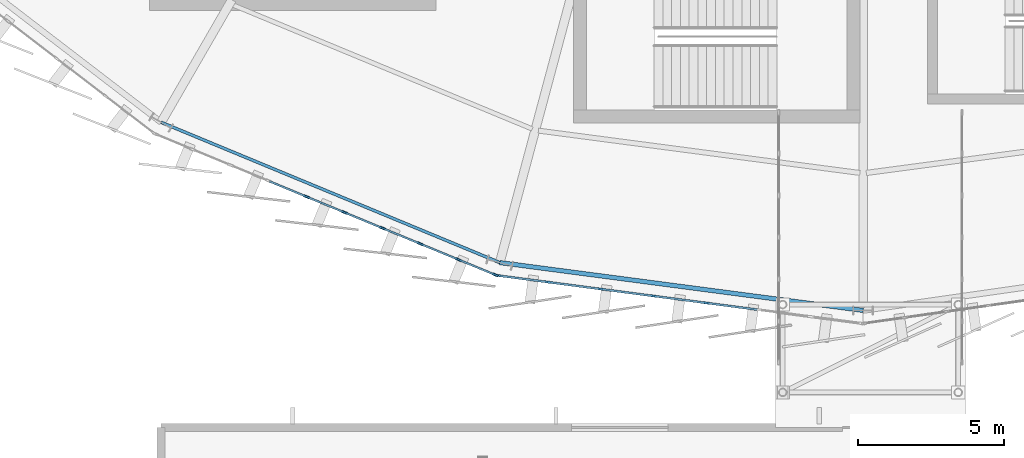
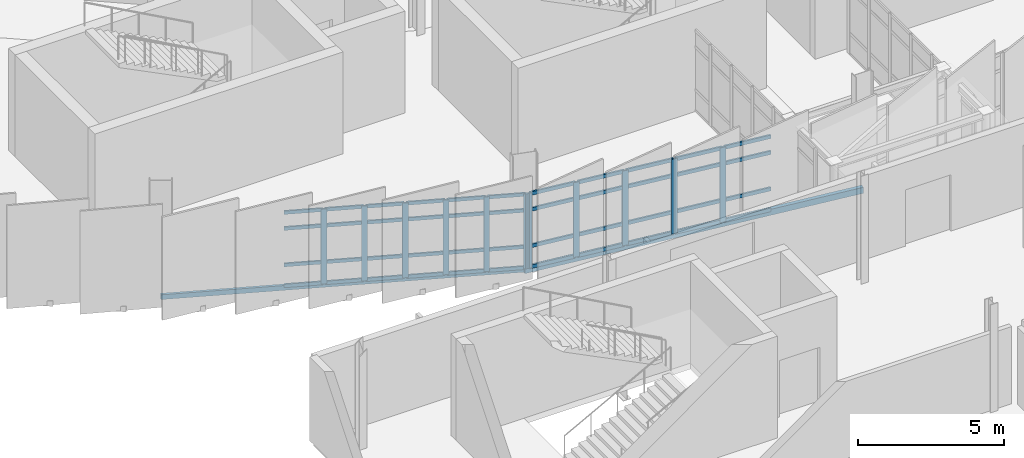
# One storey, part 34 of 125: 55 members, 2 beams, 2 elements without a shape of their own.
"""IFC4 building model written with IfcOpenShell, lengths in metres."""

from ifc_helpers import new_model, si_unit, direction, frame, origin, origin_2d, place, context, subcontext, project, spatial, rectangle, hollow_rectangle, extrude, material, layer, layer_set, material_profile, profile_set, type_object, element, aggregate, save


model = new_model("IFC4")

# Units and contexts
model_context = context("Model", 3, precision=1e-05, world=origin(), true_north=direction((0.0, 1.0)))
body_context = subcontext(model_context, "Body", "Model", "MODEL_VIEW")
ifc_project = project(units=[si_unit("LENGTHUNIT", "METRE"), si_unit("AREAUNIT", "SQUARE_METRE"), si_unit("VOLUMEUNIT", "CUBIC_METRE"), si_unit("PLANEANGLEUNIT", "RADIAN"), si_unit("MASSUNIT", "GRAM", prefix="KILO")], contexts=[model_context])

# Site, building, storey
site_placement = place(None, origin())
site = spatial("IfcSite", under=ifc_project, at=site_placement, CompositionType="ELEMENT")
building_placement = place(site_placement, origin())
building = spatial("IfcBuilding", under=site, at=building_placement, Name="Sohan Crest Arena", CompositionType="ELEMENT")
storey_placement = place(building_placement, frame((0.0, 0.0, 9.0)))
storey = spatial("IfcBuildingStorey", under=building, at=storey_placement, Name="L02", CompositionType="ELEMENT", Elevation=9.0)

# Curtain wall, members
ifc_material_1 = material(Name="Thermally broken anodised aluminium", Category="aluminium")
ifc_layer_1 = layer(ifc_material_1, 0.18994140625, Name="Thermally broken anodised aluminium")
ifc_layer_set_1 = layer_set([ifc_layer_1], Name="Thermally broken anodised aluminium")
curtain_wall_type_1 = type_object("IfcCurtainWallType", Name="ARC-CW05", PredefinedType="NOTDEFINED", material=ifc_layer_set_1)
curtain_wall_1_placement = place(storey_placement, origin())
curtain_wall_1 = element("IfcCurtainWall", 1, at=curtain_wall_1_placement, inside=storey, type_object=curtain_wall_type_1, Name="Unitised curtain wall CW-058", PredefinedType="NOTDEFINED")
ifc_material_profile_1 = material_profile(ifc_material_1, rectangle(XDim=0.070068359375, YDim=0.199951171875, at=origin_2d()), Name="ALU-MULL 70x200")
ifc_profile_set_1 = profile_set([ifc_material_profile_1], Name="Thermally broken anodised aluminium")
member_type_1 = type_object("IfcMemberType", Name="ARC-CW-ML03", PredefinedType="MULLION", material=ifc_profile_set_1)
member_1_placement = place(storey_placement, frame((78.96826171875, 33.889892578125, 0.0), z_axis=(0.0, 0.0, 1.0), x_axis=(0.382677663845, 0.92388192189, 0.0)))
member_1 = element("IfcMember", 2, at=member_1_placement, type_object=member_type_1, Name="CW-058 mullion 5", PredefinedType="MULLION", context=body_context, shape_type="SweptSolid", body=[
    extrude(rectangle(XDim=0.070068359375, YDim=0.199951171875, at=origin_2d()), origin(), (0.0, 0.0, 1.0), 3.1201171875),
])
member_2_placement = place(storey_placement, frame((80.2666015625, 33.35205078125, 0.0), z_axis=(0.0, 0.0, 1.0), x_axis=(0.382677663845, 0.92388192189, 0.0)))
member_2 = element("IfcMember", 3, at=member_2_placement, type_object=member_type_1, Name="CW-058 mullion 6", PredefinedType="MULLION", context=body_context, shape_type="SweptSolid", body=[
    extrude(rectangle(XDim=0.070068359375, YDim=0.199951171875, at=origin_2d()), origin(), (0.0, 0.0, 1.0), 3.1201171875),
])
member_3_placement = place(storey_placement, frame((81.56494140625, 32.814453125, 0.0), z_axis=(0.0, 0.0, 1.0), x_axis=(0.382677663845, 0.92388192189, 0.0)))
member_3 = element("IfcMember", 4, at=member_3_placement, type_object=member_type_1, Name="CW-058 mullion 7", PredefinedType="MULLION", context=body_context, shape_type="SweptSolid", body=[
    extrude(rectangle(XDim=0.070068359375, YDim=0.199951171875, at=origin_2d()), origin(), (0.0, 0.0, 1.0), 3.1201171875),
])
member_4_placement = place(storey_placement, frame((82.86328125, 32.276611328125, 0.0), z_axis=(0.0, 0.0, 1.0), x_axis=(0.382677663845, 0.92388192189, 0.0)))
member_4 = element("IfcMember", 5, at=member_4_placement, type_object=member_type_1, Name="CW-058 mullion 8", PredefinedType="MULLION", context=body_context, shape_type="SweptSolid", body=[
    extrude(rectangle(XDim=0.070068359375, YDim=0.199951171875, at=origin_2d()), origin(), (0.0, 0.0, 1.0), 3.1201171875),
])
member_5_placement = place(storey_placement, frame((84.16162109375, 31.73876953125, 0.0), z_axis=(0.0, 0.0, 1.0), x_axis=(0.382677663845, 0.92388192189, 0.0)))
member_5 = element("IfcMember", 6, at=member_5_placement, type_object=member_type_1, Name="CW-058 mullion 9", PredefinedType="MULLION", context=body_context, shape_type="SweptSolid", body=[
    extrude(rectangle(XDim=0.070068359375, YDim=0.199951171875, at=origin_2d()), origin(), (0.0, 0.0, 1.0), 3.1201171875),
])
member_6_placement = place(storey_placement, frame((85.427734375, 31.21435546875, 0.0), z_axis=(0.0, 0.0, 1.0), x_axis=(0.382677663845, 0.92388192189, 0.0)))
member_6 = element("IfcMember", 7, at=member_6_placement, type_object=member_type_1, Name="CW-058 mullion 10", PredefinedType="MULLION", context=body_context, shape_type="SweptSolid", body=[
    extrude(rectangle(XDim=0.070068359375, YDim=0.199951171875, at=origin_2d()), origin(), (0.0, 0.0, 1.0), 3.1201171875),
])

ifc_layer_2 = layer(ifc_material_1, 0.2099609375, Name="Thermally broken anodised aluminium")
ifc_layer_set_2 = layer_set([ifc_layer_2], Name="Thermally broken anodised aluminium")
curtain_wall_type_2 = type_object("IfcCurtainWallType", Name="ARC-CW06", PredefinedType="NOTDEFINED", material=ifc_layer_set_2)
curtain_wall_2_placement = place(storey_placement, origin())
curtain_wall_2 = element("IfcCurtainWall", 8, at=curtain_wall_2_placement, inside=storey, type_object=curtain_wall_type_2, Name="Unitised curtain wall CW-059", PredefinedType="NOTDEFINED")
ifc_material_profile_2 = material_profile(ifc_material_1, rectangle(XDim=0.074951171875, YDim=0.219970703125, at=origin_2d()), Name="ALU-MULL 75x220")
ifc_profile_set_2 = profile_set([ifc_material_profile_2], Name="Thermally broken anodised aluminium")
member_type_2 = type_object("IfcMemberType", Name="ARC-CW-ML04", PredefinedType="MULLION", material=ifc_profile_set_2)
member_7_placement = place(storey_placement, frame((85.4970703125, 31.196044921875, 0.0), z_axis=(0.0, 0.0, 1.0), x_axis=(0.130532229177, 0.991444066575, 0.0)))
member_7 = element("IfcMember", 9, at=member_7_placement, type_object=member_type_2, Name="CW-059 mullion 1", PredefinedType="MULLION", context=body_context, shape_type="SweptSolid", body=[
    extrude(rectangle(XDim=0.074951171875, YDim=0.219970703125, at=origin_2d()), origin(), (0.0, 0.0, 1.0), 3.1201171875),
])
member_8_placement = place(storey_placement, frame((87.25146484375, 30.965087890625, 0.0), z_axis=(0.0, 0.0, 1.0), x_axis=(0.130532229177, 0.991444066575, 0.0)))
member_8 = element("IfcMember", 10, at=member_8_placement, type_object=member_type_2, Name="CW-059 mullion 2", PredefinedType="MULLION", context=body_context, shape_type="SweptSolid", body=[
    extrude(rectangle(XDim=0.074951171875, YDim=0.219970703125, at=origin_2d()), origin(), (0.0, 0.0, 1.0), 3.1201171875),
])
member_9_placement = place(storey_placement, frame((89.04296875, 30.729248046875, 0.0), z_axis=(0.0, 0.0, 1.0), x_axis=(0.130532229177, 0.991444066575, 0.0)))
member_9 = element("IfcMember", 11, at=member_9_placement, type_object=member_type_2, Name="CW-059 mullion 3", PredefinedType="MULLION", context=body_context, shape_type="SweptSolid", body=[
    extrude(rectangle(XDim=0.074951171875, YDim=0.219970703125, at=origin_2d()), origin(), (0.0, 0.0, 1.0), 3.1201171875),
])
member_10_placement = place(storey_placement, frame((90.834228515625, 30.493408203125, 0.0), z_axis=(0.0, 0.0, 1.0), x_axis=(0.130532229177, 0.991444066575, 0.0)))
member_10 = element("IfcMember", 12, at=member_10_placement, type_object=member_type_2, Name="CW-059 mullion 4", PredefinedType="MULLION", context=body_context, shape_type="SweptSolid", body=[
    extrude(rectangle(XDim=0.074951171875, YDim=0.219970703125, at=origin_2d()), origin(), (0.0, 0.0, 1.0), 3.1201171875),
])
member_11_placement = place(storey_placement, frame((92.625732421875, 30.257568359375, 0.0), z_axis=(0.0, 0.0, 1.0), x_axis=(0.130532229177, 0.991444066575, 0.0)))
member_11 = element("IfcMember", 13, at=member_11_placement, type_object=member_type_2, Name="CW-059 mullion 5", PredefinedType="MULLION", context=body_context, shape_type="SweptSolid", body=[
    extrude(rectangle(XDim=0.074951171875, YDim=0.219970703125, at=origin_2d()), origin(), (0.0, 0.0, 1.0), 3.1201171875),
])

# Member
ifc_material_profile_3 = material_profile(ifc_material_1, rectangle(XDim=0.06494140625, YDim=0.139892578125, at=origin_2d()), Name="ALU-TRAN 65x140")
ifc_profile_set_3 = profile_set([ifc_material_profile_3], Name="Thermally broken anodised aluminium")
member_type_3 = type_object("IfcMemberType", Name="ARC-CW-TR02", PredefinedType="USERDEFINED", material=ifc_profile_set_3)
member_12_placement = place(storey_placement, frame((77.702392578125, 34.414306640625, 0.032470703125), z_axis=(0.923880898456, -0.382680134666, 0.0), x_axis=(0.382680134666, 0.923880898456, 0.0)))
member_12 = element("IfcMember", 14, at=member_12_placement, type_object=member_type_3, Name="CW-058 transom 4.1", ObjectType="TRANSOM", PredefinedType="USERDEFINED", context=body_context, shape_type="SweptSolid", body=[
    extrude(rectangle(XDim=0.06494140625, YDim=0.139892578125, at=origin_2d()), origin(), (0.0, 0.0, 1.0), 1.335205078125),
])

member_13_placement = place(storey_placement, frame((77.702392578125, 34.414306640625, 0.89990234375), z_axis=(0.923880898456, -0.382680134666, 0.0), x_axis=(0.382680134666, 0.923880898456, 0.0)))
member_13 = element("IfcMember", 15, at=member_13_placement, type_object=member_type_3, Name="CW-058 transom 4.2", ObjectType="TRANSOM", PredefinedType="USERDEFINED", context=body_context, shape_type="SweptSolid", body=[
    extrude(rectangle(XDim=0.06494140625, YDim=0.139892578125, at=origin_2d()), origin(), (0.0, 0.0, 1.0), 1.335205078125),
])

member_14_placement = place(storey_placement, frame((77.702392578125, 34.414306640625, 2.419921875), z_axis=(0.923880898456, -0.382680134666, 0.0), x_axis=(0.382680134666, 0.923880898456, 0.0)))
member_14 = element("IfcMember", 16, at=member_14_placement, type_object=member_type_3, Name="CW-058 transom 4.3", ObjectType="TRANSOM", PredefinedType="USERDEFINED", context=body_context, shape_type="SweptSolid", body=[
    extrude(rectangle(XDim=0.06494140625, YDim=0.139892578125, at=origin_2d()), origin(), (0.0, 0.0, 1.0), 1.335205078125),
])

member_15_placement = place(storey_placement, frame((77.702392578125, 34.414306640625, 3.08740234375), z_axis=(0.923880898456, -0.382680134666, 0.0), x_axis=(0.382680134666, 0.923880898456, 0.0)))
member_15 = element("IfcMember", 17, at=member_15_placement, type_object=member_type_3, Name="CW-058 transom 4.4", ObjectType="TRANSOM", PredefinedType="USERDEFINED", context=body_context, shape_type="SweptSolid", body=[
    extrude(rectangle(XDim=0.06494140625, YDim=0.139892578125, at=origin_2d()), origin(), (0.0, 0.0, 1.0), 1.335205078125),
])

member_16_placement = place(storey_placement, frame((79.000732421875, 33.87646484375, 0.032470703125), z_axis=(0.923880898456, -0.382680134666, 0.0), x_axis=(0.382680134666, 0.923880898456, 0.0)))
member_16 = element("IfcMember", 18, at=member_16_placement, type_object=member_type_3, Name="CW-058 transom 5.1", ObjectType="TRANSOM", PredefinedType="USERDEFINED", context=body_context, shape_type="SweptSolid", body=[
    extrude(rectangle(XDim=0.06494140625, YDim=0.139892578125, at=origin_2d()), origin(), (0.0, 0.0, 1.0), 1.335205078125),
])

member_17_placement = place(storey_placement, frame((79.000732421875, 33.87646484375, 0.89990234375), z_axis=(0.923880898456, -0.382680134666, 0.0), x_axis=(0.382680134666, 0.923880898456, 0.0)))
member_17 = element("IfcMember", 19, at=member_17_placement, type_object=member_type_3, Name="CW-058 transom 5.2", ObjectType="TRANSOM", PredefinedType="USERDEFINED", context=body_context, shape_type="SweptSolid", body=[
    extrude(rectangle(XDim=0.06494140625, YDim=0.139892578125, at=origin_2d()), origin(), (0.0, 0.0, 1.0), 1.335205078125),
])

member_18_placement = place(storey_placement, frame((79.000732421875, 33.87646484375, 2.419921875), z_axis=(0.923880898456, -0.382680134666, 0.0), x_axis=(0.382680134666, 0.923880898456, 0.0)))
member_18 = element("IfcMember", 20, at=member_18_placement, type_object=member_type_3, Name="CW-058 transom 5.3", ObjectType="TRANSOM", PredefinedType="USERDEFINED", context=body_context, shape_type="SweptSolid", body=[
    extrude(rectangle(XDim=0.06494140625, YDim=0.139892578125, at=origin_2d()), origin(), (0.0, 0.0, 1.0), 1.335205078125),
])

member_19_placement = place(storey_placement, frame((79.000732421875, 33.87646484375, 3.08740234375), z_axis=(0.923880898456, -0.382680134666, 0.0), x_axis=(0.382680134666, 0.923880898456, 0.0)))
member_19 = element("IfcMember", 21, at=member_19_placement, type_object=member_type_3, Name="CW-058 transom 5.4", ObjectType="TRANSOM", PredefinedType="USERDEFINED", context=body_context, shape_type="SweptSolid", body=[
    extrude(rectangle(XDim=0.06494140625, YDim=0.139892578125, at=origin_2d()), origin(), (0.0, 0.0, 1.0), 1.335205078125),
])

member_20_placement = place(storey_placement, frame((80.299072265625, 33.338623046875, 0.032470703125), z_axis=(0.923880898456, -0.382680134666, 0.0), x_axis=(0.382680134666, 0.923880898456, 0.0)))
member_20 = element("IfcMember", 22, at=member_20_placement, type_object=member_type_3, Name="CW-058 transom 6.1", ObjectType="TRANSOM", PredefinedType="USERDEFINED", context=body_context, shape_type="SweptSolid", body=[
    extrude(rectangle(XDim=0.06494140625, YDim=0.139892578125, at=origin_2d()), origin(), (0.0, 0.0, 1.0), 1.335205078125),
])

member_21_placement = place(storey_placement, frame((80.299072265625, 33.338623046875, 0.89990234375), z_axis=(0.923880898456, -0.382680134666, 0.0), x_axis=(0.382680134666, 0.923880898456, 0.0)))
member_21 = element("IfcMember", 23, at=member_21_placement, type_object=member_type_3, Name="CW-058 transom 6.2", ObjectType="TRANSOM", PredefinedType="USERDEFINED", context=body_context, shape_type="SweptSolid", body=[
    extrude(rectangle(XDim=0.06494140625, YDim=0.139892578125, at=origin_2d()), origin(), (0.0, 0.0, 1.0), 1.335205078125),
])

member_22_placement = place(storey_placement, frame((80.299072265625, 33.338623046875, 2.419921875), z_axis=(0.923880898456, -0.382680134666, 0.0), x_axis=(0.382680134666, 0.923880898456, 0.0)))
member_22 = element("IfcMember", 24, at=member_22_placement, type_object=member_type_3, Name="CW-058 transom 6.3", ObjectType="TRANSOM", PredefinedType="USERDEFINED", context=body_context, shape_type="SweptSolid", body=[
    extrude(rectangle(XDim=0.06494140625, YDim=0.139892578125, at=origin_2d()), origin(), (0.0, 0.0, 1.0), 1.335205078125),
])

member_23_placement = place(storey_placement, frame((80.299072265625, 33.338623046875, 3.08740234375), z_axis=(0.923880898456, -0.382680134666, 0.0), x_axis=(0.382680134666, 0.923880898456, 0.0)))
member_23 = element("IfcMember", 25, at=member_23_placement, type_object=member_type_3, Name="CW-058 transom 6.4", ObjectType="TRANSOM", PredefinedType="USERDEFINED", context=body_context, shape_type="SweptSolid", body=[
    extrude(rectangle(XDim=0.06494140625, YDim=0.139892578125, at=origin_2d()), origin(), (0.0, 0.0, 1.0), 1.335205078125),
])

member_24_placement = place(storey_placement, frame((81.597412109375, 32.801025390625, 0.032470703125), z_axis=(0.923880898456, -0.382680134666, 0.0), x_axis=(0.382680134666, 0.923880898456, 0.0)))
member_24 = element("IfcMember", 26, at=member_24_placement, type_object=member_type_3, Name="CW-058 transom 7.1", ObjectType="TRANSOM", PredefinedType="USERDEFINED", context=body_context, shape_type="SweptSolid", body=[
    extrude(rectangle(XDim=0.06494140625, YDim=0.139892578125, at=origin_2d()), origin(), (0.0, 0.0, 1.0), 1.335205078125),
])

member_25_placement = place(storey_placement, frame((81.597412109375, 32.801025390625, 0.89990234375), z_axis=(0.923880898456, -0.382680134666, 0.0), x_axis=(0.382680134666, 0.923880898456, 0.0)))
member_25 = element("IfcMember", 27, at=member_25_placement, type_object=member_type_3, Name="CW-058 transom 7.2", ObjectType="TRANSOM", PredefinedType="USERDEFINED", context=body_context, shape_type="SweptSolid", body=[
    extrude(rectangle(XDim=0.06494140625, YDim=0.139892578125, at=origin_2d()), origin(), (0.0, 0.0, 1.0), 1.335205078125),
])

member_26_placement = place(storey_placement, frame((81.597412109375, 32.801025390625, 2.419921875), z_axis=(0.923880898456, -0.382680134666, 0.0), x_axis=(0.382680134666, 0.923880898456, 0.0)))
member_26 = element("IfcMember", 28, at=member_26_placement, type_object=member_type_3, Name="CW-058 transom 7.3", ObjectType="TRANSOM", PredefinedType="USERDEFINED", context=body_context, shape_type="SweptSolid", body=[
    extrude(rectangle(XDim=0.06494140625, YDim=0.139892578125, at=origin_2d()), origin(), (0.0, 0.0, 1.0), 1.335205078125),
])

member_27_placement = place(storey_placement, frame((81.597412109375, 32.801025390625, 3.08740234375), z_axis=(0.923880898456, -0.382680134666, 0.0), x_axis=(0.382680134666, 0.923880898456, 0.0)))
member_27 = element("IfcMember", 29, at=member_27_placement, type_object=member_type_3, Name="CW-058 transom 7.4", ObjectType="TRANSOM", PredefinedType="USERDEFINED", context=body_context, shape_type="SweptSolid", body=[
    extrude(rectangle(XDim=0.06494140625, YDim=0.139892578125, at=origin_2d()), origin(), (0.0, 0.0, 1.0), 1.335205078125),
])

member_28_placement = place(storey_placement, frame((82.895751953125, 32.26318359375, 0.032470703125), z_axis=(0.923880898456, -0.382680134666, 0.0), x_axis=(0.382680134666, 0.923880898456, 0.0)))
member_28 = element("IfcMember", 30, at=member_28_placement, type_object=member_type_3, Name="CW-058 transom 8.1", ObjectType="TRANSOM", PredefinedType="USERDEFINED", context=body_context, shape_type="SweptSolid", body=[
    extrude(rectangle(XDim=0.06494140625, YDim=0.139892578125, at=origin_2d()), origin(), (0.0, 0.0, 1.0), 1.335205078125),
])

member_29_placement = place(storey_placement, frame((82.895751953125, 32.26318359375, 0.89990234375), z_axis=(0.923880898456, -0.382680134666, 0.0), x_axis=(0.382680134666, 0.923880898456, 0.0)))
member_29 = element("IfcMember", 31, at=member_29_placement, type_object=member_type_3, Name="CW-058 transom 8.2", ObjectType="TRANSOM", PredefinedType="USERDEFINED", context=body_context, shape_type="SweptSolid", body=[
    extrude(rectangle(XDim=0.06494140625, YDim=0.139892578125, at=origin_2d()), origin(), (0.0, 0.0, 1.0), 1.335205078125),
])

member_30_placement = place(storey_placement, frame((82.895751953125, 32.26318359375, 2.419921875), z_axis=(0.923880898456, -0.382680134666, 0.0), x_axis=(0.382680134666, 0.923880898456, 0.0)))
member_30 = element("IfcMember", 32, at=member_30_placement, type_object=member_type_3, Name="CW-058 transom 8.3", ObjectType="TRANSOM", PredefinedType="USERDEFINED", context=body_context, shape_type="SweptSolid", body=[
    extrude(rectangle(XDim=0.06494140625, YDim=0.139892578125, at=origin_2d()), origin(), (0.0, 0.0, 1.0), 1.335205078125),
])

member_31_placement = place(storey_placement, frame((82.895751953125, 32.26318359375, 3.08740234375), z_axis=(0.923880898456, -0.382680134666, 0.0), x_axis=(0.382680134666, 0.923880898456, 0.0)))
member_31 = element("IfcMember", 33, at=member_31_placement, type_object=member_type_3, Name="CW-058 transom 8.4", ObjectType="TRANSOM", PredefinedType="USERDEFINED", context=body_context, shape_type="SweptSolid", body=[
    extrude(rectangle(XDim=0.06494140625, YDim=0.139892578125, at=origin_2d()), origin(), (0.0, 0.0, 1.0), 1.335205078125),
])

member_32_placement = place(storey_placement, frame((84.194091796875, 31.725341796875, 0.032470703125), z_axis=(0.923874933397, -0.382694535419, 0.0), x_axis=(0.382694535419, 0.923874933397, 0.0)))
member_32 = element("IfcMember", 34, at=member_32_placement, type_object=member_type_3, Name="CW-058 transom 9.1", ObjectType="TRANSOM", PredefinedType="USERDEFINED", context=body_context, shape_type="SweptSolid", body=[
    extrude(rectangle(XDim=0.06494140625, YDim=0.139892578125, at=origin_2d()), origin(), (0.0, 0.0, 1.0), 1.300048828125),
])

member_33_placement = place(storey_placement, frame((84.194091796875, 31.725341796875, 0.89990234375), z_axis=(0.923874933397, -0.382694535419, 0.0), x_axis=(0.382694535419, 0.923874933397, 0.0)))
member_33 = element("IfcMember", 35, at=member_33_placement, type_object=member_type_3, Name="CW-058 transom 9.2", ObjectType="TRANSOM", PredefinedType="USERDEFINED", context=body_context, shape_type="SweptSolid", body=[
    extrude(rectangle(XDim=0.06494140625, YDim=0.139892578125, at=origin_2d()), origin(), (0.0, 0.0, 1.0), 1.300048828125),
])

member_34_placement = place(storey_placement, frame((84.194091796875, 31.725341796875, 2.419921875), z_axis=(0.923874933397, -0.382694535419, 0.0), x_axis=(0.382694535419, 0.923874933397, 0.0)))
member_34 = element("IfcMember", 36, at=member_34_placement, type_object=member_type_3, Name="CW-058 transom 9.3", ObjectType="TRANSOM", PredefinedType="USERDEFINED", context=body_context, shape_type="SweptSolid", body=[
    extrude(rectangle(XDim=0.06494140625, YDim=0.139892578125, at=origin_2d()), origin(), (0.0, 0.0, 1.0), 1.300048828125),
])

member_35_placement = place(storey_placement, frame((84.194091796875, 31.725341796875, 3.08740234375), z_axis=(0.923874933397, -0.382694535419, 0.0), x_axis=(0.382694535419, 0.923874933397, 0.0)))
member_35 = element("IfcMember", 37, at=member_35_placement, type_object=member_type_3, Name="CW-058 transom 9.4", ObjectType="TRANSOM", PredefinedType="USERDEFINED", context=body_context, shape_type="SweptSolid", body=[
    extrude(rectangle(XDim=0.06494140625, YDim=0.139892578125, at=origin_2d()), origin(), (0.0, 0.0, 1.0), 1.300048828125),
])

aggregate(curtain_wall_1, [member_1, member_2, member_3, member_4, member_5, member_6, member_12, member_13, member_14, member_15, member_16, member_17, member_18, member_19, member_20, member_21, member_22, member_23, member_24, member_25, member_26, member_27, member_28, member_29, member_30, member_31, member_32, member_33, member_34, member_35])

ifc_material_profile_4 = material_profile(ifc_material_1, rectangle(XDim=0.070068359375, YDim=0.14990234375, at=origin_2d()), Name="ALU-TRAN 70x150")
ifc_profile_set_4 = profile_set([ifc_material_profile_4], Name="Thermally broken anodised aluminium")
member_type_4 = type_object("IfcMemberType", Name="ARC-CW-TR03", PredefinedType="USERDEFINED", material=ifc_profile_set_4)
member_36_placement = place(storey_placement, frame((85.534423828125, 31.191162109375, 0.034912109375), z_axis=(0.991443012274, -0.130540236756, 0.0), x_axis=(0.130540236756, 0.991443012274, 0.0)))
member_36 = element("IfcMember", 38, at=member_36_placement, type_object=member_type_4, Name="CW-059 transom 1.1", ObjectType="TRANSOM", PredefinedType="USERDEFINED", context=body_context, shape_type="SweptSolid", body=[
    extrude(rectangle(XDim=0.070068359375, YDim=0.14990234375, at=origin_2d()), origin(), (0.0, 0.0, 1.0), 1.6943359375),
])

member_37_placement = place(storey_placement, frame((85.534423828125, 31.191162109375, 0.89990234375), z_axis=(0.991443012274, -0.130540236756, 0.0), x_axis=(0.130540236756, 0.991443012274, 0.0)))
member_37 = element("IfcMember", 39, at=member_37_placement, type_object=member_type_4, Name="CW-059 transom 1.2", ObjectType="TRANSOM", PredefinedType="USERDEFINED", context=body_context, shape_type="SweptSolid", body=[
    extrude(rectangle(XDim=0.070068359375, YDim=0.14990234375, at=origin_2d()), origin(), (0.0, 0.0, 1.0), 1.6943359375),
])

member_38_placement = place(storey_placement, frame((85.534423828125, 31.191162109375, 2.419921875), z_axis=(0.991443012274, -0.130540236756, 0.0), x_axis=(0.130540236756, 0.991443012274, 0.0)))
member_38 = element("IfcMember", 40, at=member_38_placement, type_object=member_type_4, Name="CW-059 transom 1.3", ObjectType="TRANSOM", PredefinedType="USERDEFINED", context=body_context, shape_type="SweptSolid", body=[
    extrude(rectangle(XDim=0.070068359375, YDim=0.14990234375, at=origin_2d()), origin(), (0.0, 0.0, 1.0), 1.6943359375),
])

member_39_placement = place(storey_placement, frame((85.534423828125, 31.191162109375, 3.0849609375), z_axis=(0.991443012274, -0.130540236756, 0.0), x_axis=(0.130540236756, 0.991443012274, 0.0)))
member_39 = element("IfcMember", 41, at=member_39_placement, type_object=member_type_4, Name="CW-059 transom 1.4", ObjectType="TRANSOM", PredefinedType="USERDEFINED", context=body_context, shape_type="SweptSolid", body=[
    extrude(rectangle(XDim=0.070068359375, YDim=0.14990234375, at=origin_2d()), origin(), (0.0, 0.0, 1.0), 1.6943359375),
])

member_40_placement = place(storey_placement, frame((87.28857421875, 30.960205078125, 0.034912109375), z_axis=(0.991443256208, -0.130538384082, 0.0), x_axis=(0.130538384082, 0.991443256208, 0.0)))
member_40 = element("IfcMember", 42, at=member_40_placement, type_object=member_type_4, Name="CW-059 transom 2.1", ObjectType="TRANSOM", PredefinedType="USERDEFINED", context=body_context, shape_type="SweptSolid", body=[
    extrude(rectangle(XDim=0.070068359375, YDim=0.14990234375, at=origin_2d()), origin(), (0.0, 0.0, 1.0), 1.73193359375),
])

member_41_placement = place(storey_placement, frame((87.28857421875, 30.960205078125, 0.89990234375), z_axis=(0.991443256208, -0.130538384082, 0.0), x_axis=(0.130538384082, 0.991443256208, 0.0)))
member_41 = element("IfcMember", 43, at=member_41_placement, type_object=member_type_4, Name="CW-059 transom 2.2", ObjectType="TRANSOM", PredefinedType="USERDEFINED", context=body_context, shape_type="SweptSolid", body=[
    extrude(rectangle(XDim=0.070068359375, YDim=0.14990234375, at=origin_2d()), origin(), (0.0, 0.0, 1.0), 1.73193359375),
])

member_42_placement = place(storey_placement, frame((87.28857421875, 30.960205078125, 2.419921875), z_axis=(0.991443256208, -0.130538384082, 0.0), x_axis=(0.130538384082, 0.991443256208, 0.0)))
member_42 = element("IfcMember", 44, at=member_42_placement, type_object=member_type_4, Name="CW-059 transom 2.3", ObjectType="TRANSOM", PredefinedType="USERDEFINED", context=body_context, shape_type="SweptSolid", body=[
    extrude(rectangle(XDim=0.070068359375, YDim=0.14990234375, at=origin_2d()), origin(), (0.0, 0.0, 1.0), 1.73193359375),
])

member_43_placement = place(storey_placement, frame((87.28857421875, 30.960205078125, 3.0849609375), z_axis=(0.991443256208, -0.130538384082, 0.0), x_axis=(0.130538384082, 0.991443256208, 0.0)))
member_43 = element("IfcMember", 45, at=member_43_placement, type_object=member_type_4, Name="CW-059 transom 2.4", ObjectType="TRANSOM", PredefinedType="USERDEFINED", context=body_context, shape_type="SweptSolid", body=[
    extrude(rectangle(XDim=0.070068359375, YDim=0.14990234375, at=origin_2d()), origin(), (0.0, 0.0, 1.0), 1.73193359375),
])

member_44_placement = place(storey_placement, frame((89.080078125, 30.724365234375, 0.034912109375), z_axis=(0.991443256208, -0.130538384082, 0.0), x_axis=(0.130538384082, 0.991443256208, 0.0)))
member_44 = element("IfcMember", 46, at=member_44_placement, type_object=member_type_4, Name="CW-059 transom 3.1", ObjectType="TRANSOM", PredefinedType="USERDEFINED", context=body_context, shape_type="SweptSolid", body=[
    extrude(rectangle(XDim=0.070068359375, YDim=0.14990234375, at=origin_2d()), origin(), (0.0, 0.0, 1.0), 1.73193359375),
])

member_45_placement = place(storey_placement, frame((89.080078125, 30.724365234375, 0.89990234375), z_axis=(0.991443256208, -0.130538384082, 0.0), x_axis=(0.130538384082, 0.991443256208, 0.0)))
member_45 = element("IfcMember", 47, at=member_45_placement, type_object=member_type_4, Name="CW-059 transom 3.2", ObjectType="TRANSOM", PredefinedType="USERDEFINED", context=body_context, shape_type="SweptSolid", body=[
    extrude(rectangle(XDim=0.070068359375, YDim=0.14990234375, at=origin_2d()), origin(), (0.0, 0.0, 1.0), 1.73193359375),
])

member_46_placement = place(storey_placement, frame((89.080078125, 30.724365234375, 2.419921875), z_axis=(0.991443256208, -0.130538384082, 0.0), x_axis=(0.130538384082, 0.991443256208, 0.0)))
member_46 = element("IfcMember", 48, at=member_46_placement, type_object=member_type_4, Name="CW-059 transom 3.3", ObjectType="TRANSOM", PredefinedType="USERDEFINED", context=body_context, shape_type="SweptSolid", body=[
    extrude(rectangle(XDim=0.070068359375, YDim=0.14990234375, at=origin_2d()), origin(), (0.0, 0.0, 1.0), 1.73193359375),
])

member_47_placement = place(storey_placement, frame((89.080078125, 30.724365234375, 3.0849609375), z_axis=(0.991443256208, -0.130538384082, 0.0), x_axis=(0.130538384082, 0.991443256208, 0.0)))
member_47 = element("IfcMember", 49, at=member_47_placement, type_object=member_type_4, Name="CW-059 transom 3.4", ObjectType="TRANSOM", PredefinedType="USERDEFINED", context=body_context, shape_type="SweptSolid", body=[
    extrude(rectangle(XDim=0.070068359375, YDim=0.14990234375, at=origin_2d()), origin(), (0.0, 0.0, 1.0), 1.73193359375),
])

member_48_placement = place(storey_placement, frame((90.87158203125, 30.488525390625, 0.034912109375), z_axis=(0.991443256208, -0.130538384082, 0.0), x_axis=(0.130538384082, 0.991443256208, 0.0)))
member_48 = element("IfcMember", 50, at=member_48_placement, type_object=member_type_4, Name="CW-059 transom 4.1", ObjectType="TRANSOM", PredefinedType="USERDEFINED", context=body_context, shape_type="SweptSolid", body=[
    extrude(rectangle(XDim=0.070068359375, YDim=0.14990234375, at=origin_2d()), origin(), (0.0, 0.0, 1.0), 1.73193359375),
])

member_49_placement = place(storey_placement, frame((90.87158203125, 30.488525390625, 0.89990234375), z_axis=(0.991443256208, -0.130538384082, 0.0), x_axis=(0.130538384082, 0.991443256208, 0.0)))
member_49 = element("IfcMember", 51, at=member_49_placement, type_object=member_type_4, Name="CW-059 transom 4.2", ObjectType="TRANSOM", PredefinedType="USERDEFINED", context=body_context, shape_type="SweptSolid", body=[
    extrude(rectangle(XDim=0.070068359375, YDim=0.14990234375, at=origin_2d()), origin(), (0.0, 0.0, 1.0), 1.73193359375),
])

member_50_placement = place(storey_placement, frame((90.87158203125, 30.488525390625, 2.419921875), z_axis=(0.991443256208, -0.130538384082, 0.0), x_axis=(0.130538384082, 0.991443256208, 0.0)))
member_50 = element("IfcMember", 52, at=member_50_placement, type_object=member_type_4, Name="CW-059 transom 4.3", ObjectType="TRANSOM", PredefinedType="USERDEFINED", context=body_context, shape_type="SweptSolid", body=[
    extrude(rectangle(XDim=0.070068359375, YDim=0.14990234375, at=origin_2d()), origin(), (0.0, 0.0, 1.0), 1.73193359375),
])

member_51_placement = place(storey_placement, frame((90.87158203125, 30.488525390625, 3.0849609375), z_axis=(0.991443256208, -0.130538384082, 0.0), x_axis=(0.130538384082, 0.991443256208, 0.0)))
member_51 = element("IfcMember", 53, at=member_51_placement, type_object=member_type_4, Name="CW-059 transom 4.4", ObjectType="TRANSOM", PredefinedType="USERDEFINED", context=body_context, shape_type="SweptSolid", body=[
    extrude(rectangle(XDim=0.070068359375, YDim=0.14990234375, at=origin_2d()), origin(), (0.0, 0.0, 1.0), 1.73193359375),
])

member_52_placement = place(storey_placement, frame((92.662841796875, 30.252685546875, 0.034912109375), z_axis=(0.991443256208, -0.130538384082, 0.0), x_axis=(0.130538384082, 0.991443256208, 0.0)))
member_52 = element("IfcMember", 54, at=member_52_placement, type_object=member_type_4, Name="CW-059 transom 5.1", ObjectType="TRANSOM", PredefinedType="USERDEFINED", context=body_context, shape_type="SweptSolid", body=[
    extrude(rectangle(XDim=0.070068359375, YDim=0.14990234375, at=origin_2d()), origin(), (0.0, 0.0, 1.0), 1.73193359375),
])

member_53_placement = place(storey_placement, frame((92.662841796875, 30.252685546875, 0.89990234375), z_axis=(0.991443256208, -0.130538384082, 0.0), x_axis=(0.130538384082, 0.991443256208, 0.0)))
member_53 = element("IfcMember", 55, at=member_53_placement, type_object=member_type_4, Name="CW-059 transom 5.2", ObjectType="TRANSOM", PredefinedType="USERDEFINED", context=body_context, shape_type="SweptSolid", body=[
    extrude(rectangle(XDim=0.070068359375, YDim=0.14990234375, at=origin_2d()), origin(), (0.0, 0.0, 1.0), 1.73193359375),
])

member_54_placement = place(storey_placement, frame((92.662841796875, 30.252685546875, 2.419921875), z_axis=(0.991443256208, -0.130538384082, 0.0), x_axis=(0.130538384082, 0.991443256208, 0.0)))
member_54 = element("IfcMember", 56, at=member_54_placement, type_object=member_type_4, Name="CW-059 transom 5.3", ObjectType="TRANSOM", PredefinedType="USERDEFINED", context=body_context, shape_type="SweptSolid", body=[
    extrude(rectangle(XDim=0.070068359375, YDim=0.14990234375, at=origin_2d()), origin(), (0.0, 0.0, 1.0), 1.73193359375),
])

member_55_placement = place(storey_placement, frame((92.662841796875, 30.252685546875, 3.0849609375), z_axis=(0.991443256208, -0.130538384082, 0.0), x_axis=(0.130538384082, 0.991443256208, 0.0)))
member_55 = element("IfcMember", 57, at=member_55_placement, type_object=member_type_4, Name="CW-059 transom 5.4", ObjectType="TRANSOM", PredefinedType="USERDEFINED", context=body_context, shape_type="SweptSolid", body=[
    extrude(rectangle(XDim=0.070068359375, YDim=0.14990234375, at=origin_2d()), origin(), (0.0, 0.0, 1.0), 1.73193359375),
])

aggregate(curtain_wall_2, [member_7, member_8, member_9, member_10, member_11, member_36, member_37, member_38, member_39, member_40, member_41, member_42, member_43, member_44, member_45, member_46, member_47, member_48, member_49, member_50, member_51, member_52, member_53, member_54, member_55])

# Beams
ifc_material_2 = material(Name="Steel S355", Category="steel")
ifc_material_profile_5 = material_profile(ifc_material_2, hollow_rectangle(XDim=0.10009765625, YDim=0.199951171875, WallThickness=0.008056640625, at=origin_2d()), Name="RHS 200x100x8")
ifc_profile_set_5 = profile_set([ifc_material_profile_5], Name="Steel S355")
beam_type_1 = type_object("IfcBeamType", Name="STR-BM-SP01", PredefinedType="SPANDREL", material=ifc_profile_set_5)
beam_1_placement = place(storey_placement, frame((74.0, 36.430908203125, -0.35009765625), z_axis=(0.923890504882, -0.382656941645, 0.0), x_axis=(0.382656941645, 0.923890504882, 0.0)))
element("IfcBeam", 58, at=beam_1_placement, inside=storey, type_object=beam_type_1, Name="Structural beam SP-L02-1287", PredefinedType="SPANDREL", context=body_context, shape_type="SweptSolid", body=[
    extrude(hollow_rectangle(XDim=0.10009765625, YDim=0.199951171875, WallThickness=0.008056640625, at=origin_2d()), origin(), (0.0, 0.0, 1.0), 12.530517578125),
])
ifc_material_profile_6 = material_profile(ifc_material_2, hollow_rectangle(XDim=0.14990234375, YDim=0.25, WallThickness=0.010009765625, at=origin_2d()), Name="RHS 250x150x10")
ifc_profile_set_6 = profile_set([ifc_material_profile_6], Name="Steel S355")
beam_type_2 = type_object("IfcBeamType", Name="STR-BM-SP02", PredefinedType="SPANDREL", material=ifc_profile_set_6)
beam_2_placement = place(storey_placement, frame((85.576904296875, 31.635986328125, -0.375), z_axis=(0.991440164207, -0.130561865783, 0.0), x_axis=(0.130561865783, 0.991440164207, 0.0)))
element("IfcBeam", 59, at=beam_2_placement, inside=storey, type_object=beam_type_2, Name="Structural beam SP-L02-1291", PredefinedType="SPANDREL", context=body_context, shape_type="SweptSolid", body=[
    extrude(hollow_rectangle(XDim=0.14990234375, YDim=0.25, WallThickness=0.010009765625, at=origin_2d()), origin(), (0.0, 0.0, 1.0), 12.5302734375),
])

save(model, "model.ifc")
